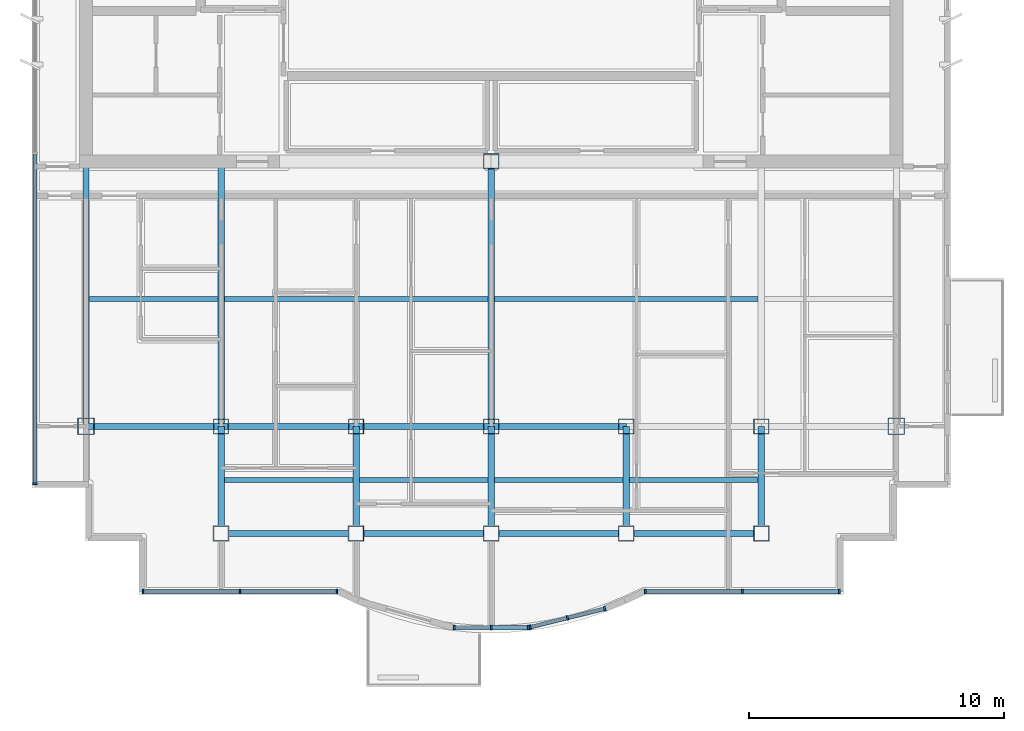
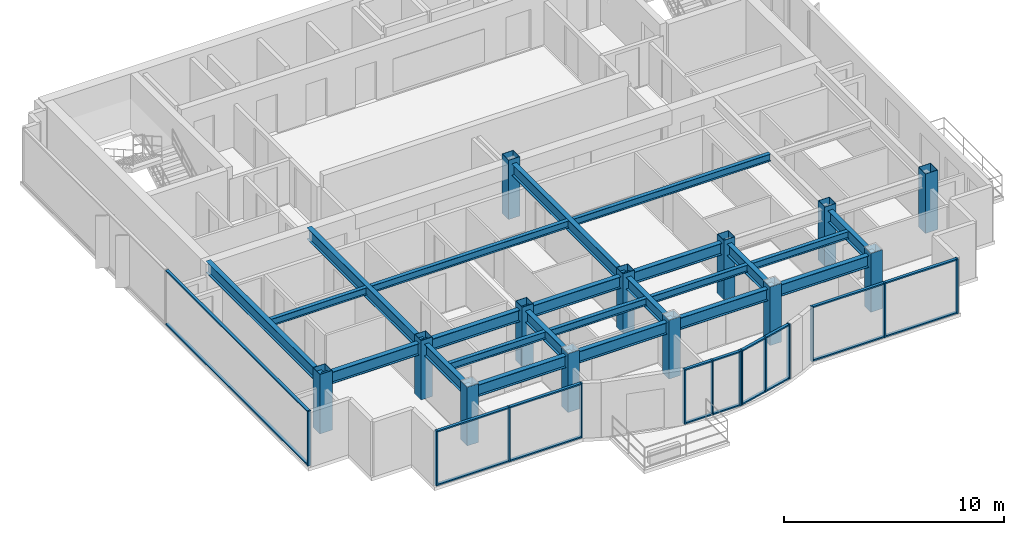
# One storey, part 1 of 11: 31 members, 23 beams, 13 columns, 5 elements without a shape of their own.
"""IFC4 building model written with IfcOpenShell, lengths in metres."""

import ifcopenshell
import ifcopenshell.guid

model = None  # the IFC model being written
_history = None  # IfcOwnerHistory: only IFC2X3 demands one
_inside = {}  # id of a spatial element -> (the spatial element, [elements in it])
_under = {}  # id of a project, library or spatial element -> (it, [spatial elements below it])
_declared = {}  # id of a project -> (the project, [libraries it declares])
_typed = {}  # id of a type object -> (the type object, [elements of that type])
_made_of = {}  # id of a material, layer set ... -> (it, [elements and type objects made of it])


def new_model(schema):
    """Start an empty IFC model of exactly this schema.

    Asked for "IFC4X3", IfcOpenShell would pick the latest addendum, in which some entities
    have other attributes; the version numbers below select the first issue.
    IFC2X3 requires an IfcOwnerHistory on every rooted entity: one is made here for all.
    """
    global model, _history
    if schema == "IFC4X3":
        model = ifcopenshell.file(schema_version=(4, 3, 0, 0))
    else:
        model = ifcopenshell.file(schema=schema)
    _inside.clear()
    _under.clear()
    _declared.clear()
    _typed.clear()
    _made_of.clear()
    _history = None
    if model.schema == "IFC2X3":
        org = make("IfcOrganization", Name="unknown")
        user = make(
            "IfcPersonAndOrganization",
            ThePerson=make("IfcPerson", FamilyName="unknown"),
            TheOrganization=org,
        )
        app = make(
            "IfcApplication",
            ApplicationDeveloper=org,
            Version="unknown",
            ApplicationFullName="unknown",
            ApplicationIdentifier="unknown",
        )
        _history = make(
            "IfcOwnerHistory",
            OwningUser=user,
            OwningApplication=app,
            ChangeAction="ADDED",
            CreationDate=0,
        )
    return model


def make(cls, **values):
    """One entity of the class cls with the attributes given. An attribute that is None is left unset."""
    return model.create_entity(
        cls, **{name: value for name, value in values.items() if value is not None}
    )


def rooted(cls, **values):
    """An entity with a GlobalId (a new one), such as an element, a storey or a relation."""
    return make(cls, GlobalId=ifcopenshell.guid.new(), OwnerHistory=_history, **values)


def si_unit(unit_type, name, prefix=None):
    """IfcSIUnit, for example si_unit("LENGTHUNIT", "METRE", prefix="MILLI")."""
    return make("IfcSIUnit", UnitType=unit_type, Prefix=prefix, Name=name)


def assignment(units):
    """IfcUnitAssignment: the units of a project."""
    return None if units is None else make("IfcUnitAssignment", Units=units)


def point(xyz):
    """IfcCartesianPoint."""
    return None if xyz is None else make("IfcCartesianPoint", Coordinates=xyz)


def direction(xyz):
    """IfcDirection."""
    return None if xyz is None else make("IfcDirection", DirectionRatios=xyz)


def frame(location, z_axis=None, x_axis=None):
    """IfcAxis2Placement3D, a coordinate frame: its origin and axes. An axis left out is left unset."""
    return make(
        "IfcAxis2Placement3D",
        Location=point(location),
        Axis=direction(z_axis),
        RefDirection=direction(x_axis),
    )


def frame_2d(location, x_axis=None):
    """IfcAxis2Placement2D, a coordinate frame in the plane: its origin and x axis."""
    return make(
        "IfcAxis2Placement2D", Location=point(location), RefDirection=direction(x_axis)
    )


def origin():
    """The frame at (0, 0, 0) with its axes left unset."""
    return frame((0.0, 0.0, 0.0))


def origin_2d():
    """The frame at (0, 0) in the plane with its x axis left unset."""
    return frame_2d((0.0, 0.0))


def place(relative_to, where):
    """IfcLocalPlacement: puts the frame where relative to a parent placement (None: the world)."""
    return make(
        "IfcLocalPlacement", PlacementRelTo=relative_to, RelativePlacement=where
    )


def context(
    kind, dimensions, precision=None, world=None, true_north=None, identifier=None
):
    """IfcGeometricRepresentationContext, for example the 3D "Model" context."""
    return make(
        "IfcGeometricRepresentationContext",
        ContextIdentifier=identifier,
        ContextType=kind,
        CoordinateSpaceDimension=dimensions,
        Precision=precision,
        WorldCoordinateSystem=world,
        TrueNorth=true_north,
    )


def subcontext(parent, identifier, kind, view, scale=None):
    """IfcGeometricRepresentationSubContext, for example "Body" below "Model"."""
    return make(
        "IfcGeometricRepresentationSubContext",
        ContextIdentifier=identifier,
        ContextType=kind,
        ParentContext=parent,
        TargetScale=scale,
        TargetView=view,
    )


def project(units=None, contexts=None):
    """IfcProject with its units and contexts."""
    return rooted(
        "IfcProject",
        Name="project",
        RepresentationContexts=contexts,
        UnitsInContext=assignment(units),
    )


def spatial(cls, under=None, at=None, **own):
    """A site, building, storey or space (cls), placed at a placement, below another one or the project."""
    s = rooted(cls, ObjectPlacement=at, **own)
    if under is not None:
        _under.setdefault(under.id(), (under, []))[1].append(s)
    return s


def profile(cls, at=None, kind="AREA", **sizes):
    """A parametric profile (cls). Its sizes go by their IFC names, for example OverallWidth=200.0."""
    return make(cls, ProfileType=kind, Position=at, **sizes)


def rectangle(**sizes):
    """IfcRectangleProfileDef."""
    return profile("IfcRectangleProfileDef", **sizes)


def hollow_rectangle(**sizes):
    """IfcRectangleHollowProfileDef."""
    return profile("IfcRectangleHollowProfileDef", **sizes)


def i_section(**sizes):
    """IfcIShapeProfileDef."""
    return profile("IfcIShapeProfileDef", **sizes)


def extrude(swept, where, along, depth):
    """IfcExtrudedAreaSolid: the profile swept, set in the frame where, extruded along a direction by depth."""
    return make(
        "IfcExtrudedAreaSolid",
        SweptArea=swept,
        Position=where,
        ExtrudedDirection=direction(along),
        Depth=depth,
    )


def shape(context_of_items, identifier, shape_type, items):
    """IfcShapeRepresentation: the items that make up one representation, for example the "Body"."""
    return make(
        "IfcShapeRepresentation",
        ContextOfItems=context_of_items,
        RepresentationIdentifier=identifier,
        RepresentationType=shape_type,
        Items=items,
    )


def source(mapping_origin, context_of_items, identifier, shape_type, items):
    """IfcRepresentationMap: a shape defined once, which mapped items show again and again."""
    return make(
        "IfcRepresentationMap",
        MappingOrigin=mapping_origin,
        MappedRepresentation=shape(context_of_items, identifier, shape_type, items),
    )


def transform(
    local_origin,
    x_axis=None,
    y_axis=None,
    z_axis=None,
    scale=None,
    scale2=None,
    scale3=None,
    uniform=True,
):
    """IfcCartesianTransformationOperator3D, or its non-uniform kind. x_axis, y_axis, z_axis: its Axis1, 2, 3."""
    if uniform:
        return make(
            "IfcCartesianTransformationOperator3D",
            Axis1=direction(x_axis),
            Axis2=direction(y_axis),
            LocalOrigin=point(local_origin),
            Scale=scale,
            Axis3=direction(z_axis),
        )
    return make(
        "IfcCartesianTransformationOperator3DnonUniform",
        Axis1=direction(x_axis),
        Axis2=direction(y_axis),
        LocalOrigin=point(local_origin),
        Scale=scale,
        Axis3=direction(z_axis),
        Scale2=scale2,
        Scale3=scale3,
    )


def mapped(mapping_source, mapping_target):
    """IfcMappedItem: shows the shape of a source again, moved by a transform."""
    return make(
        "IfcMappedItem", MappingSource=mapping_source, MappingTarget=mapping_target
    )


def material(Name=None, Category=None):
    """IfcMaterial."""
    return make("IfcMaterial", Name=Name, Category=Category)


def layer(
    of_material, thickness, ventilated=None, Name=None, Category=None, Priority=None
):
    """IfcMaterialLayer: one layer of a wall or slab, of a material (None: an air gap)."""
    return make(
        "IfcMaterialLayer",
        Material=of_material,
        LayerThickness=thickness,
        IsVentilated=ventilated,
        Name=Name,
        Category=Category,
        Priority=Priority,
    )


def layer_set(layers, Name=None):
    """IfcMaterialLayerSet."""
    return make("IfcMaterialLayerSet", MaterialLayers=layers, LayerSetName=Name)


def material_profile(
    of_material, cross_section, Name=None, Category=None, Priority=None
):
    """IfcMaterialProfile: a cross section and its material."""
    return make(
        "IfcMaterialProfile",
        Name=Name,
        Material=of_material,
        Profile=cross_section,
        Priority=Priority,
        Category=Category,
    )


def profile_set(profiles, Name=None, composite=None):
    """IfcMaterialProfileSet."""
    return make(
        "IfcMaterialProfileSet",
        Name=Name,
        MaterialProfiles=profiles,
        CompositeProfile=composite,
    )


def made_of(thing, what):
    """Note that an element or type object is made of a material, layer set ...; save() writes the relation."""
    if what is not None:
        _made_of.setdefault(what.id(), (what, []))[1].append(thing)
    return thing


def type_object(cls, material=None, **own):
    """A type object (cls), such as IfcWallType, which elements share."""
    return made_of(rooted(cls, **own), material)


def element(
    cls,
    number,
    at=None,
    inside=None,
    cuts=None,
    type_object=None,
    material=None,
    context=None,
    identifier="Body",
    shape_type=None,
    held_by="IfcProductDefinitionShape",
    body=None,
    shapes=None,
    **own,
):
    """One element of the class cls, such as IfcWall. Its Tag is "e" and its number.

    at: its placement. inside: the storey or other place that contains it. cuts: it is an
    opening in that element (IfcRelVoidsElement). A single representation is given by context,
    identifier, shape_type and body (its items); several are given by shapes. held_by: the class
    of the entity that holds the representations. save() writes the other relations.
    """
    e = rooted(cls, Tag="e%d" % number, ObjectPlacement=at, **own)
    if body is not None:
        shapes = [shape(context, identifier, shape_type, body)]
    if shapes is not None:
        e.Representation = make(held_by, Representations=shapes)
    if inside is not None:
        _inside.setdefault(inside.id(), (inside, []))[1].append(e)
    if cuts is not None:
        rooted(
            "IfcRelVoidsElement", RelatingBuildingElement=cuts, RelatedOpeningElement=e
        )
    if type_object is not None:
        _typed.setdefault(type_object.id(), (type_object, []))[1].append(e)
    return made_of(e, material)


def aggregate(whole, parts):
    """IfcRelAggregates: a whole, such as a stair, and the parts it consists of."""
    return rooted("IfcRelAggregates", RelatingObject=whole, RelatedObjects=parts)


def save(model, path):
    """Write the relations noted so far, then the file.

    IfcRelAggregates (storeys below a building ...), IfcRelContainedInSpatialStructure (elements
    in a storey), IfcRelDefinesByType, IfcRelAssociatesMaterial and IfcRelDeclares: one each for
    every whole, place, type object, material and project.
    """
    for whole, parts in _under.values():
        aggregate(whole, parts)
    for where, things in _inside.values():
        rooted(
            "IfcRelContainedInSpatialStructure",
            RelatedElements=things,
            RelatingStructure=where,
        )
    for kind, things in _typed.values():
        rooted("IfcRelDefinesByType", RelatedObjects=things, RelatingType=kind)
    for what, things in _made_of.values():
        rooted("IfcRelAssociatesMaterial", RelatedObjects=things, RelatingMaterial=what)
    for by, libraries in _declared.values():
        rooted("IfcRelDeclares", RelatingContext=by, RelatedDefinitions=libraries)
    model.write(path)


model = new_model("IFC4")

# Units and contexts
model_context = context("Model", 3, precision=1e-05, world=origin(), true_north=direction((0.0, 1.0)))
body_context = subcontext(model_context, "Body", "Model", "MODEL_VIEW")
ifc_project = project(units=[si_unit("LENGTHUNIT", "METRE"), si_unit("AREAUNIT", "SQUARE_METRE"), si_unit("VOLUMEUNIT", "CUBIC_METRE"), si_unit("PLANEANGLEUNIT", "RADIAN"), si_unit("MASSUNIT", "GRAM", prefix="KILO")], contexts=[model_context])

# Site, building, storey
site_placement = place(None, origin())
site = spatial("IfcSite", under=ifc_project, at=site_placement, CompositionType="ELEMENT")
building_placement = place(site_placement, origin())
building = spatial("IfcBuilding", under=site, at=building_placement, Name="Qianlan Lanfeng Residences", CompositionType="ELEMENT")
storey_placement = place(building_placement, frame((0.0, 0.0, 262.699951171875)))
storey = spatial("IfcBuildingStorey", under=building, at=storey_placement, Name="L73", CompositionType="ELEMENT", Elevation=262.699951171875)

# Columns
ifc_material_1 = material(Name="Steel SN490B", Category="steel")
ifc_material_profile_1 = material_profile(ifc_material_1, hollow_rectangle(XDim=0.60009765625, YDim=0.60009765625, WallThickness=0.02197265625, at=origin_2d()), Name="BOX 600x600x22")
ifc_profile_set_1 = profile_set([ifc_material_profile_1], Name="Steel SN490B")
column_type_1 = type_object("IfcColumnType", Name="C-B650", PredefinedType="COLUMN", material=ifc_profile_set_1)
for number, where, z_axis, x_axis, name in (
    (1, (26.5, 25.199951171875, 0.0), (0.0, 0.0, 1.0), (1.0, 0.0, 0.0), "L73 Structural Column CP_26.5_25.2"),
    (2, (15.89990234375, 14.800048828125, 0.0), (0.0, 0.0, 1.0), (1.0, 0.0, 0.0), "L73 Structural Column M_15.90_14.80"),
):
    element("IfcColumn", number, at=place(storey_placement, frame(where, z_axis=z_axis, x_axis=x_axis)), inside=storey, type_object=column_type_1, Name=name, PredefinedType="COLUMN", context=body_context, shape_type="SweptSolid", body=[
        extrude(hollow_rectangle(XDim=0.60009765625, YDim=0.60009765625, WallThickness=0.02197265625, at=origin_2d()), origin(), (0.0, 0.0, 1.0), 3.300048828125),
    ])
column_1_placement = place(storey_placement, frame((15.89990234375, 10.60009765625, 0.0), z_axis=(0.0, 0.0, 1.0), x_axis=(1.0, 0.0, 0.0)))
element("IfcColumn", 3, at=column_1_placement, inside=storey, type_object=column_type_1, Name="L73 Structural Column G_15.90_10.60", PredefinedType="COLUMN", context=body_context, shape_type="SweptSolid", body=[
    extrude(hollow_rectangle(XDim=0.60009765625, YDim=0.60009765625, WallThickness=0.02197265625, at=origin_2d()), origin(), (0.0, 0.0, 1.0), 3.26416015625),
])
column_2_placement = place(storey_placement, frame((21.199951171875, 14.800048828125, 0.0), z_axis=(0.0, 0.0, 1.0), x_axis=(1.0, 0.0, 0.0)))
element("IfcColumn", 4, at=column_2_placement, inside=storey, type_object=column_type_1, Name="L73 Structural Column M_21.20_14.80", PredefinedType="COLUMN", context=body_context, shape_type="SweptSolid", body=[
    extrude(hollow_rectangle(XDim=0.60009765625, YDim=0.60009765625, WallThickness=0.02197265625, at=origin_2d()), origin(), (0.0, 0.0, 1.0), 3.300048828125),
])
column_3_placement = place(storey_placement, frame((21.199951171875, 10.60009765625, 0.0), z_axis=(0.0, 0.0, 1.0), x_axis=(1.0, 0.0, 0.0)))
element("IfcColumn", 5, at=column_3_placement, inside=storey, type_object=column_type_1, Name="L73 Structural Column G_21.20_10.60", PredefinedType="COLUMN", context=body_context, shape_type="SweptSolid", body=[
    extrude(hollow_rectangle(XDim=0.60009765625, YDim=0.60009765625, WallThickness=0.02197265625, at=origin_2d()), origin(), (0.0, 0.0, 1.0), 3.26416015625),
])
column_4_placement = place(storey_placement, frame((26.5, 14.800048828125, 0.0), z_axis=(0.0, 0.0, 1.0), x_axis=(1.0, 0.0, 0.0)))
element("IfcColumn", 6, at=column_4_placement, inside=storey, type_object=column_type_1, Name="L73 Structural Column M_26.50_14.80", PredefinedType="COLUMN", context=body_context, shape_type="SweptSolid", body=[
    extrude(hollow_rectangle(XDim=0.60009765625, YDim=0.60009765625, WallThickness=0.02197265625, at=origin_2d()), origin(), (0.0, 0.0, 1.0), 3.300048828125),
])
column_5_placement = place(storey_placement, frame((26.5, 10.60009765625, 0.0), z_axis=(0.0, 0.0, 1.0), x_axis=(1.0, 0.0, 0.0)))
element("IfcColumn", 7, at=column_5_placement, inside=storey, type_object=column_type_1, Name="L73 Structural Column G_26.50_10.60", PredefinedType="COLUMN", context=body_context, shape_type="SweptSolid", body=[
    extrude(hollow_rectangle(XDim=0.60009765625, YDim=0.60009765625, WallThickness=0.02197265625, at=origin_2d()), origin(), (0.0, 0.0, 1.0), 3.26416015625),
])
column_6_placement = place(storey_placement, frame((31.800048828125, 14.800048828125, 0.0), z_axis=(0.0, 0.0, 1.0), x_axis=(1.0, 0.0, 0.0)))
element("IfcColumn", 8, at=column_6_placement, inside=storey, type_object=column_type_1, Name="L73 Structural Column M_31.80_14.80", PredefinedType="COLUMN", context=body_context, shape_type="SweptSolid", body=[
    extrude(hollow_rectangle(XDim=0.60009765625, YDim=0.60009765625, WallThickness=0.02197265625, at=origin_2d()), origin(), (0.0, 0.0, 1.0), 3.300048828125),
])
column_7_placement = place(storey_placement, frame((31.800048828125, 10.60009765625, 0.0), z_axis=(0.0, 0.0, 1.0), x_axis=(1.0, 0.0, 0.0)))
element("IfcColumn", 9, at=column_7_placement, inside=storey, type_object=column_type_1, Name="L73 Structural Column G_31.80_10.60", PredefinedType="COLUMN", context=body_context, shape_type="SweptSolid", body=[
    extrude(hollow_rectangle(XDim=0.60009765625, YDim=0.60009765625, WallThickness=0.02197265625, at=origin_2d()), origin(), (0.0, 0.0, 1.0), 3.26416015625),
])
column_8_placement = place(storey_placement, frame((37.10009765625, 14.800048828125, 0.0), z_axis=(0.0, 0.0, 1.0), x_axis=(1.0, 0.0, 0.0)))
element("IfcColumn", 10, at=column_8_placement, inside=storey, type_object=column_type_1, Name="L73 Structural Column M_37.10_14.80", PredefinedType="COLUMN", context=body_context, shape_type="SweptSolid", body=[
    extrude(hollow_rectangle(XDim=0.60009765625, YDim=0.60009765625, WallThickness=0.02197265625, at=origin_2d()), origin(), (0.0, 0.0, 1.0), 3.300048828125),
])
column_9_placement = place(storey_placement, frame((37.10009765625, 10.60009765625, 0.0), z_axis=(0.0, 0.0, 1.0), x_axis=(1.0, 0.0, 0.0)))
element("IfcColumn", 11, at=column_9_placement, inside=storey, type_object=column_type_1, Name="L73 Structural Column G_37.10_10.60", PredefinedType="COLUMN", context=body_context, shape_type="SweptSolid", body=[
    extrude(hollow_rectangle(XDim=0.60009765625, YDim=0.60009765625, WallThickness=0.02197265625, at=origin_2d()), origin(), (0.0, 0.0, 1.0), 3.26416015625),
])
ifc_material_profile_2 = material_profile(ifc_material_1, hollow_rectangle(XDim=0.64990234375, YDim=0.64990234375, WallThickness=0.02197265625, at=origin_2d()), Name="BOX 650x650x22")
ifc_profile_set_2 = profile_set([ifc_material_profile_2], Name="Steel SN490B")
column_type_2 = type_object("IfcColumnType", Name="CE-B700", PredefinedType="COLUMN", material=ifc_profile_set_2)
for number, where, z_axis, x_axis, name in (
    (12, (10.60009765625, 14.800048828125, 0.0), (0.0, 0.0, 1.0), (1.0, 0.0, 0.0), "L73 Structural Column M_10.60_14.80"),
    (13, (42.39990234375, 14.800048828125, 0.0), (0.0, 0.0, 1.0), (1.0, 0.0, 0.0), "L73 Structural Column M_42.40_14.80"),
):
    element("IfcColumn", number, at=place(storey_placement, frame(where, z_axis=z_axis, x_axis=x_axis)), inside=storey, type_object=column_type_2, Name=name, PredefinedType="COLUMN", context=body_context, shape_type="SweptSolid", body=[
        extrude(hollow_rectangle(XDim=0.64990234375, YDim=0.64990234375, WallThickness=0.02197265625, at=origin_2d()), origin(), (0.0, 0.0, 1.0), 3.300048828125),
    ])

# Beams
ifc_material_profile_3 = material_profile(ifc_material_1, i_section(OverallWidth=0.25, OverallDepth=0.64990234375, WebThickness=0.012939453125, FlangeThickness=0.02197265625, at=origin_2d()), Name="H 650x250x13x22")
ifc_profile_set_3 = profile_set([ifc_material_profile_3], Name="Steel SN490B")
beam_type_1 = type_object("IfcBeamType", Name="G-650", PredefinedType="BEAM", material=ifc_profile_set_3)
for number, where, z_axis, x_axis, name in (
    (14, (15.89990234375, 10.60009765625, 2.715087890625), (1.0, 0.0, 0.0), (0.0, 1.0, 0.0), "Structural beam G-650"),
    (15, (21.199951171875, 10.60009765625, 2.715087890625), (1.0, 0.0, 0.0), (0.0, 1.0, 0.0), "Structural beam G-650"),
    (16, (26.5, 10.60009765625, 2.715087890625), (1.0, 0.0, 0.0), (0.0, 1.0, 0.0), "Structural beam G-650"),
    (17, (31.800048828125, 10.60009765625, 2.715087890625), (1.0, 0.0, 0.0), (0.0, 1.0, 0.0), "Structural beam G-650"),
):
    element("IfcBeam", number, at=place(storey_placement, frame(where, z_axis=z_axis, x_axis=x_axis)), inside=storey, type_object=beam_type_1, Name=name, PredefinedType="BEAM", context=body_context, shape_type="SweptSolid", body=[
        extrude(i_section(OverallWidth=0.25, OverallDepth=0.64990234375, WebThickness=0.012939453125, FlangeThickness=0.02197265625, at=origin_2d()), origin(), (0.0, 0.0, 1.0), 5.300048828125),
    ])
beam_1_placement = place(storey_placement, frame((10.60009765625, 14.800048828125, 2.715087890625), z_axis=(1.0, 0.0, 0.0), x_axis=(0.0, 1.0, 0.0)))
element("IfcBeam", 18, at=beam_1_placement, inside=storey, type_object=beam_type_1, Name="Structural beam G-650", PredefinedType="BEAM", context=body_context, shape_type="SweptSolid", body=[
    extrude(i_section(OverallWidth=0.25, OverallDepth=0.64990234375, WebThickness=0.012939453125, FlangeThickness=0.02197265625, at=origin_2d()), origin(), (0.0, 0.0, 1.0), 5.2998046875),
])
for number, where, z_axis, x_axis, name in (
    (19, (15.89990234375, 14.800048828125, 2.715087890625), (1.0, 0.0, 0.0), (0.0, 1.0, 0.0), "Structural beam G-650"),
    (20, (21.199951171875, 14.800048828125, 2.715087890625), (1.0, 0.0, 0.0), (0.0, 1.0, 0.0), "Structural beam G-650"),
    (21, (26.5, 14.800048828125, 2.715087890625), (1.0, 0.0, 0.0), (0.0, 1.0, 0.0), "Structural beam G-650"),
):
    element("IfcBeam", number, at=place(storey_placement, frame(where, z_axis=z_axis, x_axis=x_axis)), inside=storey, type_object=beam_type_1, Name=name, PredefinedType="BEAM", context=body_context, shape_type="SweptSolid", body=[
        extrude(i_section(OverallWidth=0.25, OverallDepth=0.64990234375, WebThickness=0.012939453125, FlangeThickness=0.02197265625, at=origin_2d()), origin(), (0.0, 0.0, 1.0), 5.300048828125),
    ])
beam_2_placement = place(storey_placement, frame((10.60009765625, 14.800048828125, 2.715087890625), z_axis=(0.0, 1.0, 0.0), x_axis=(-1.0, 0.0, 0.0)))
element("IfcBeam", 22, at=beam_2_placement, inside=storey, type_object=beam_type_1, Name="Structural beam G-650", PredefinedType="BEAM", context=body_context, shape_type="SweptSolid", body=[
    extrude(i_section(OverallWidth=0.25, OverallDepth=0.64990234375, WebThickness=0.012939453125, FlangeThickness=0.02197265625, at=origin_2d()), origin(), (0.0, 0.0, 1.0), 10.39990234375),
])
beam_3_placement = place(storey_placement, frame((15.89990234375, 10.60009765625, 2.715087890625), z_axis=(0.0, 1.0, 0.0), x_axis=(-1.0, 0.0, 0.0)))
element("IfcBeam", 23, at=beam_3_placement, inside=storey, type_object=beam_type_1, Name="Structural beam G-650", PredefinedType="BEAM", context=body_context, shape_type="SweptSolid", body=[
    extrude(i_section(OverallWidth=0.25, OverallDepth=0.64990234375, WebThickness=0.012939453125, FlangeThickness=0.02197265625, at=origin_2d()), origin(), (0.0, 0.0, 1.0), 4.199951171875),
])
beam_4_placement = place(storey_placement, frame((15.89990234375, 14.800048828125, 2.715087890625), z_axis=(0.0, 1.0, 0.0), x_axis=(-1.0, 0.0, 0.0)))
element("IfcBeam", 24, at=beam_4_placement, inside=storey, type_object=beam_type_1, Name="Structural beam G-650", PredefinedType="BEAM", context=body_context, shape_type="SweptSolid", body=[
    extrude(i_section(OverallWidth=0.25, OverallDepth=0.64990234375, WebThickness=0.012939453125, FlangeThickness=0.02197265625, at=origin_2d()), origin(), (0.0, 0.0, 1.0), 10.39990234375),
])
for number, where, z_axis, x_axis, name in (
    (25, (21.199951171875, 10.60009765625, 2.715087890625), (0.0, 1.0, 0.0), (-1.0, 0.0, 0.0), "Structural beam G-650"),
    (26, (26.5, 10.60009765625, 2.715087890625), (0.0, 1.0, 0.0), (-1.0, 0.0, 0.0), "Structural beam G-650"),
):
    element("IfcBeam", number, at=place(storey_placement, frame(where, z_axis=z_axis, x_axis=x_axis)), inside=storey, type_object=beam_type_1, Name=name, PredefinedType="BEAM", context=body_context, shape_type="SweptSolid", body=[
        extrude(i_section(OverallWidth=0.25, OverallDepth=0.64990234375, WebThickness=0.012939453125, FlangeThickness=0.02197265625, at=origin_2d()), origin(), (0.0, 0.0, 1.0), 4.199951171875),
    ])
beam_5_placement = place(storey_placement, frame((26.5, 14.800048828125, 2.715087890625), z_axis=(0.0, 1.0, 0.0), x_axis=(-1.0, 0.0, 0.0)))
element("IfcBeam", 27, at=beam_5_placement, inside=storey, type_object=beam_type_1, Name="Structural beam G-650", PredefinedType="BEAM", context=body_context, shape_type="SweptSolid", body=[
    extrude(i_section(OverallWidth=0.25, OverallDepth=0.64990234375, WebThickness=0.012939453125, FlangeThickness=0.02197265625, at=origin_2d()), origin(), (0.0, 0.0, 1.0), 10.39990234375),
])
for number, where, z_axis, x_axis, name in (
    (28, (31.800048828125, 10.60009765625, 2.715087890625), (0.0, 1.0, 0.0), (-1.0, 0.0, 0.0), "Structural beam G-650"),
    (29, (37.10009765625, 10.60009765625, 2.715087890625), (0.0, 1.0, 0.0), (-1.0, 0.0, 0.0), "Structural beam G-650"),
):
    element("IfcBeam", number, at=place(storey_placement, frame(where, z_axis=z_axis, x_axis=x_axis)), inside=storey, type_object=beam_type_1, Name=name, PredefinedType="BEAM", context=body_context, shape_type="SweptSolid", body=[
        extrude(i_section(OverallWidth=0.25, OverallDepth=0.64990234375, WebThickness=0.012939453125, FlangeThickness=0.02197265625, at=origin_2d()), origin(), (0.0, 0.0, 1.0), 4.199951171875),
    ])
ifc_material_profile_4 = material_profile(ifc_material_1, i_section(OverallWidth=0.199951171875, OverallDepth=0.39990234375, WebThickness=0.008056640625, FlangeThickness=0.012939453125, at=origin_2d()), Name="H 400x200x8x13")
ifc_profile_set_4 = profile_set([ifc_material_profile_4], Name="Steel SN490B")
beam_type_2 = type_object("IfcBeamType", Name="J-400", PredefinedType="JOIST", material=ifc_profile_set_4)
for number, where, z_axis, x_axis, name in (
    (30, (16.02490234375, 12.699951171875, 2.840087890625), (1.0, 0.0, 0.0), (0.0, 1.0, 0.0), "Structural beam J-400"),
    (31, (21.324951171875, 12.699951171875, 2.840087890625), (1.0, 0.0, 0.0), (0.0, 1.0, 0.0), "Structural beam J-400"),
    (32, (26.625, 12.699951171875, 2.840087890625), (1.0, 0.0, 0.0), (0.0, 1.0, 0.0), "Structural beam J-400"),
    (33, (31.925048828125, 12.699951171875, 2.840087890625), (1.0, 0.0, 0.0), (0.0, 1.0, 0.0), "Structural beam J-400"),
):
    element("IfcBeam", number, at=place(storey_placement, frame(where, z_axis=z_axis, x_axis=x_axis)), inside=storey, type_object=beam_type_2, Name=name, PredefinedType="JOIST", context=body_context, shape_type="SweptSolid", body=[
        extrude(i_section(OverallWidth=0.199951171875, OverallDepth=0.39990234375, WebThickness=0.008056640625, FlangeThickness=0.012939453125, at=origin_2d()), origin(), (0.0, 0.0, 1.0), 5.050048828125),
    ])
beam_6_placement = place(storey_placement, frame((10.72509765625, 19.800048828125, 2.840087890625), z_axis=(1.0, 0.0, 0.0), x_axis=(0.0, 1.0, 0.0)))
element("IfcBeam", 34, at=beam_6_placement, inside=storey, type_object=beam_type_2, Name="Structural beam J-400", PredefinedType="JOIST", context=body_context, shape_type="SweptSolid", body=[
    extrude(i_section(OverallWidth=0.199951171875, OverallDepth=0.39990234375, WebThickness=0.008056640625, FlangeThickness=0.012939453125, at=origin_2d()), origin(), (0.0, 0.0, 1.0), 5.0498046875),
])
for number, where, z_axis, x_axis, name in (
    (35, (16.02490234375, 19.800048828125, 2.840087890625), (1.0, 0.0, 0.0), (0.0, 1.0, 0.0), "Structural beam J-400"),
    (36, (26.625, 19.800048828125, 2.840087890625), (1.0, 0.0, 0.0), (0.0, 1.0, 0.0), "Structural beam J-400"),
):
    element("IfcBeam", number, at=place(storey_placement, frame(where, z_axis=z_axis, x_axis=x_axis)), inside=storey, type_object=beam_type_2, Name=name, PredefinedType="JOIST", context=body_context, shape_type="SweptSolid", body=[
        extrude(i_section(OverallWidth=0.199951171875, OverallDepth=0.39990234375, WebThickness=0.008056640625, FlangeThickness=0.012939453125, at=origin_2d()), origin(), (0.0, 0.0, 1.0), 10.35009765625),
    ])

# Curtain wall, members
ifc_material_2 = material(Name="Anodised Bronze Aluminium 6063-T6", Category="aluminium")
ifc_layer = layer(ifc_material_2, 0.219970703125)
ifc_layer_set = layer_set([ifc_layer], Name="Anodised Bronze Aluminium 6063-T6")
curtain_wall_type = type_object("IfcCurtainWallType", Name="CW-06", PredefinedType="NOTDEFINED", material=ifc_layer_set)
curtain_wall_1_placement = place(storey_placement, origin())
curtain_wall_1 = element("IfcCurtainWall", 37, at=curtain_wall_1_placement, inside=storey, type_object=curtain_wall_type, Name="L73 Unitised Curtain Wall CWR-L73-01 (CW-06)", PredefinedType="NOTDEFINED")
ifc_material_profile_5 = material_profile(ifc_material_2, rectangle(XDim=0.074951171875, YDim=0.14990234375, at=origin_2d()), Name="ALU TRANSOM 75x150")
ifc_profile_set_5 = profile_set([ifc_material_profile_5], Name="Anodised Bronze Aluminium 6063-T6")
member_type_1 = type_object("IfcMemberType", Name="CWT-150", PredefinedType="USERDEFINED", material=ifc_profile_set_5)
shared_shape_1 = source(origin(), body_context, "Body", "SweptSolid", [
    extrude(rectangle(XDim=0.074951171875, YDim=0.14990234375, at=origin_2d()), origin(), (0.0, 0.0, 1.0), 3.73095703125),
])
member_1_placement = place(storey_placement, frame((12.875, 8.320068359375, 0.03759765625), z_axis=(1.0, 0.0, 0.0), x_axis=(0.0, 0.0, 1.0)))
member_1 = element("IfcMember", 38, at=member_1_placement, type_object=member_type_1, Name="CWR-L73-01 Transom 1-BOT", ObjectType="TRANSOM", PredefinedType="USERDEFINED", context=body_context, shape_type="MappedRepresentation", body=[
    mapped(shared_shape_1, transform((0.0, 0.0, 0.0), scale=1.0)),
])
member_2_placement = place(storey_placement, frame((12.875, 8.320068359375, 3.00244140625), z_axis=(1.0, 0.0, 0.0), x_axis=(0.0, 0.0, 1.0)))
member_2 = element("IfcMember", 39, at=member_2_placement, type_object=member_type_1, Name="CWR-L73-01 Transom 1-TOP", ObjectType="TRANSOM", PredefinedType="USERDEFINED", context=body_context, shape_type="MappedRepresentation", body=[
    mapped(shared_shape_1, transform((0.0, 0.0, 0.0), scale=1.0)),
])

curtain_wall_2_placement = place(storey_placement, origin())
curtain_wall_2 = element("IfcCurtainWall", 40, at=curtain_wall_2_placement, inside=storey, type_object=curtain_wall_type, Name="L73 Unitised Curtain Wall CWR-L73-04 (CW-06)", PredefinedType="NOTDEFINED")
member_3_placement = place(storey_placement, frame((36.39404296875, 8.320068359375, 0.03759765625), z_axis=(1.0, 0.0, 0.0), x_axis=(0.0, 0.0, 1.0)))
member_3 = element("IfcMember", 41, at=member_3_placement, type_object=member_type_1, Name="CWR-L73-04 Transom 2-BOT", ObjectType="TRANSOM", PredefinedType="USERDEFINED", context=body_context, shape_type="MappedRepresentation", body=[
    mapped(shared_shape_1, transform((0.0, 0.0, 0.0), scale=1.0)),
])
member_4_placement = place(storey_placement, frame((36.39404296875, 8.320068359375, 3.00244140625), z_axis=(1.0, 0.0, 0.0), x_axis=(0.0, 0.0, 1.0)))
member_4 = element("IfcMember", 42, at=member_4_placement, type_object=member_type_1, Name="CWR-L73-04 Transom 2-TOP", ObjectType="TRANSOM", PredefinedType="USERDEFINED", context=body_context, shape_type="MappedRepresentation", body=[
    mapped(shared_shape_1, transform((0.0, 0.0, 0.0), scale=1.0)),
])

# Member
shared_shape_2 = source(origin(), body_context, "Body", "SweptSolid", [
    extrude(rectangle(XDim=0.074951171875, YDim=0.14990234375, at=origin_2d()), origin(), (0.0, 0.0, 1.0), 3.731201171875),
])
member_5_placement = place(storey_placement, frame((16.680908203125, 8.320068359375, 0.03759765625), z_axis=(1.0, 0.0, 0.0), x_axis=(0.0, 0.0, 1.0)))
member_5 = element("IfcMember", 43, at=member_5_placement, type_object=member_type_1, Name="CWR-L73-01 Transom 2-BOT", ObjectType="TRANSOM", PredefinedType="USERDEFINED", context=body_context, shape_type="MappedRepresentation", body=[
    mapped(shared_shape_2, transform((0.0, 0.0, 0.0), scale=1.0)),
])

member_6_placement = place(storey_placement, frame((16.680908203125, 8.320068359375, 3.00244140625), z_axis=(1.0, 0.0, 0.0), x_axis=(0.0, 0.0, 1.0)))
member_6 = element("IfcMember", 44, at=member_6_placement, type_object=member_type_1, Name="CWR-L73-01 Transom 2-TOP", ObjectType="TRANSOM", PredefinedType="USERDEFINED", context=body_context, shape_type="MappedRepresentation", body=[
    mapped(shared_shape_2, transform((0.0, 0.0, 0.0), scale=1.0)),
])

member_7_placement = place(storey_placement, frame((32.587890625, 8.320068359375, 0.03759765625), z_axis=(1.0, 0.0, 0.0), x_axis=(0.0, 0.0, 1.0)))
member_7 = element("IfcMember", 45, at=member_7_placement, type_object=member_type_1, Name="CWR-L73-04 Transom 1-BOT", ObjectType="TRANSOM", PredefinedType="USERDEFINED", context=body_context, shape_type="MappedRepresentation", body=[
    mapped(shared_shape_2, transform((0.0, 0.0, 0.0), scale=1.0)),
])

member_8_placement = place(storey_placement, frame((32.587890625, 8.320068359375, 3.00244140625), z_axis=(1.0, 0.0, 0.0), x_axis=(0.0, 0.0, 1.0)))
member_8 = element("IfcMember", 46, at=member_8_placement, type_object=member_type_1, Name="CWR-L73-04 Transom 1-TOP", ObjectType="TRANSOM", PredefinedType="USERDEFINED", context=body_context, shape_type="MappedRepresentation", body=[
    mapped(shared_shape_2, transform((0.0, 0.0, 0.0), scale=1.0)),
])

# Curtain wall, members
curtain_wall_3_placement = place(storey_placement, origin())
curtain_wall_3 = element("IfcCurtainWall", 47, at=curtain_wall_3_placement, inside=storey, type_object=curtain_wall_type, Name="L73 Unitised Curtain Wall CWR-L73-05 (CW-06)", PredefinedType="NOTDEFINED")
shared_shape_3 = source(origin(), body_context, "Body", "SweptSolid", [
    extrude(rectangle(XDim=0.074951171875, YDim=0.14990234375, at=origin_2d()), origin(), (0.0, 0.0, 1.0), 12.892578125),
])
member_9_placement = place(storey_placement, frame((8.60009765625, 25.487548828125, 0.03759765625), z_axis=(0.0, -1.0, 0.0), x_axis=(0.0, 0.0, 1.0)))
member_9 = element("IfcMember", 48, at=member_9_placement, type_object=member_type_1, Name="CWR-L73-05 Transom 2-BOT", ObjectType="TRANSOM", PredefinedType="USERDEFINED", context=body_context, shape_type="MappedRepresentation", body=[
    mapped(shared_shape_3, transform((0.0, 0.0, 0.0), scale=1.0)),
])
member_10_placement = place(storey_placement, frame((8.60009765625, 25.487548828125, 3.00244140625), z_axis=(0.0, -1.0, 0.0), x_axis=(0.0, 0.0, 1.0)))
member_10 = element("IfcMember", 49, at=member_10_placement, type_object=member_type_1, Name="CWR-L73-05 Transom 2-TOP", ObjectType="TRANSOM", PredefinedType="USERDEFINED", context=body_context, shape_type="MappedRepresentation", body=[
    mapped(shared_shape_3, transform((0.0, 0.0, 0.0), scale=1.0)),
])

curtain_wall_4_placement = place(storey_placement, origin())
curtain_wall_4 = element("IfcCurtainWall", 50, at=curtain_wall_4_placement, inside=storey, type_object=curtain_wall_type, Name="L73 Unitised Curtain Wall CWR-L73-02 (CW-06)", PredefinedType="NOTDEFINED")
shared_shape_4 = source(origin(), body_context, "Body", "SweptSolid", [
    extrude(rectangle(XDim=0.074951171875, YDim=0.14990234375, at=origin_2d()), origin(), (0.0, 0.0, 1.0), 1.38232421875),
])
member_11_placement = place(storey_placement, frame((25.080078125, 6.9130859375, 0.03759765625), z_axis=(1.0, 0.0, 0.0), x_axis=(0.0, 0.0, 1.0)))
member_11 = element("IfcMember", 51, at=member_11_placement, type_object=member_type_1, Name="CWR-L73-02 Transom 1-BOT", ObjectType="TRANSOM", PredefinedType="USERDEFINED", context=body_context, shape_type="MappedRepresentation", body=[
    mapped(shared_shape_4, transform((0.0, 0.0, 0.0), scale=1.0)),
])
member_12_placement = place(storey_placement, frame((25.080078125, 6.9130859375, 3.00244140625), z_axis=(1.0, 0.0, 0.0), x_axis=(0.0, 0.0, 1.0)))
member_12 = element("IfcMember", 52, at=member_12_placement, type_object=member_type_1, Name="CWR-L73-02 Transom 1-TOP", ObjectType="TRANSOM", PredefinedType="USERDEFINED", context=body_context, shape_type="MappedRepresentation", body=[
    mapped(shared_shape_4, transform((0.0, 0.0, 0.0), scale=1.0)),
])
member_13_placement = place(storey_placement, frame((26.53759765625, 6.9130859375, 0.03759765625), z_axis=(1.0, 0.0, 0.0), x_axis=(0.0, 0.0, 1.0)))
member_13 = element("IfcMember", 53, at=member_13_placement, type_object=member_type_1, Name="CWR-L73-02 Transom 2-BOT", ObjectType="TRANSOM", PredefinedType="USERDEFINED", context=body_context, shape_type="MappedRepresentation", body=[
    mapped(shared_shape_4, transform((0.0, 0.0, 0.0), scale=1.0)),
])
member_14_placement = place(storey_placement, frame((26.53759765625, 6.9130859375, 3.00244140625), z_axis=(1.0, 0.0, 0.0), x_axis=(0.0, 0.0, 1.0)))
member_14 = element("IfcMember", 54, at=member_14_placement, type_object=member_type_1, Name="CWR-L73-02 Transom 2-TOP", ObjectType="TRANSOM", PredefinedType="USERDEFINED", context=body_context, shape_type="MappedRepresentation", body=[
    mapped(shared_shape_4, transform((0.0, 0.0, 0.0), scale=1.0)),
])

curtain_wall_5_placement = place(storey_placement, origin())
curtain_wall_5 = element("IfcCurtainWall", 55, at=curtain_wall_5_placement, inside=storey, type_object=curtain_wall_type, Name="L73 Unitised Curtain Wall CWR-L73-03 (CW-06)", PredefinedType="NOTDEFINED")
shared_shape_5 = source(origin(), body_context, "Body", "SweptSolid", [
    extrude(rectangle(XDim=0.074951171875, YDim=0.14990234375, at=origin_2d()), origin(), (0.0, 0.0, 1.0), 1.429443359375),
])
member_15_placement = place(storey_placement, frame((28.06787109375, 6.93115234375, 0.03759765625), z_axis=(0.970483137028, 0.241168987941, 0.0), x_axis=(0.0, 0.0, 1.0)))
member_15 = element("IfcMember", 56, at=member_15_placement, type_object=member_type_1, Name="CWR-L73-03 Transom 1-BOT", ObjectType="TRANSOM", PredefinedType="USERDEFINED", context=body_context, shape_type="MappedRepresentation", body=[
    mapped(shared_shape_5, transform((0.0, 0.0, 0.0), scale=1.0)),
])
member_16_placement = place(storey_placement, frame((28.06787109375, 6.93115234375, 3.00244140625), z_axis=(0.970483137028, 0.241168987941, 0.0), x_axis=(0.0, 0.0, 1.0)))
member_16 = element("IfcMember", 57, at=member_16_placement, type_object=member_type_1, Name="CWR-L73-03 Transom 1-TOP", ObjectType="TRANSOM", PredefinedType="USERDEFINED", context=body_context, shape_type="MappedRepresentation", body=[
    mapped(shared_shape_5, transform((0.0, 0.0, 0.0), scale=1.0)),
])
shared_shape_6 = source(origin(), body_context, "Body", "SweptSolid", [
    extrude(rectangle(XDim=0.074951171875, YDim=0.14990234375, at=origin_2d()), origin(), (0.0, 0.0, 1.0), 1.4296875),
])
member_17_placement = place(storey_placement, frame((29.52783203125, 7.2939453125, 0.03759765625), z_axis=(0.970453094131, 0.241289850784, 0.0), x_axis=(0.0, 0.0, 1.0)))
member_17 = element("IfcMember", 58, at=member_17_placement, type_object=member_type_1, Name="CWR-L73-03 Transom 2-BOT", ObjectType="TRANSOM", PredefinedType="USERDEFINED", context=body_context, shape_type="MappedRepresentation", body=[
    mapped(shared_shape_6, transform((0.0, 0.0, 0.0), scale=1.0)),
])
member_18_placement = place(storey_placement, frame((29.52783203125, 7.2939453125, 3.00244140625), z_axis=(0.970453094131, 0.241289850784, 0.0), x_axis=(0.0, 0.0, 1.0)))
member_18 = element("IfcMember", 59, at=member_18_placement, type_object=member_type_1, Name="CWR-L73-03 Transom 2-TOP", ObjectType="TRANSOM", PredefinedType="USERDEFINED", context=body_context, shape_type="MappedRepresentation", body=[
    mapped(shared_shape_6, transform((0.0, 0.0, 0.0), scale=1.0)),
])

# Member
ifc_material_profile_6 = material_profile(ifc_material_2, rectangle(XDim=0.074951171875, YDim=0.179931640625, at=origin_2d()), Name="ALU MULLION 75x180")
ifc_profile_set_6 = profile_set([ifc_material_profile_6], Name="Anodised Bronze Aluminium 6063-T6")
member_type_2 = type_object("IfcMemberType", Name="CWM-180", PredefinedType="MULLION", material=ifc_profile_set_6)
shared_shape_7 = source(origin(), body_context, "Body", "SweptSolid", [
    extrude(rectangle(XDim=0.074951171875, YDim=0.179931640625, at=origin_2d()), origin(), (0.0, 0.0, 1.0), 3.0400390625),
])
member_19_placement = place(storey_placement, frame((12.83740234375, 8.320068359375, 0.0), z_axis=(0.0, 0.0, 1.0), x_axis=(1.0, 0.0, 0.0)))
member_19 = element("IfcMember", 60, at=member_19_placement, type_object=member_type_2, Name="CWR-L73-01 Mullion 1", PredefinedType="MULLION", context=body_context, shape_type="MappedRepresentation", body=[
    mapped(shared_shape_7, transform((0.0, 0.0, 0.0), scale=1.0)),
])

member_20_placement = place(storey_placement, frame((16.6435546875, 8.320068359375, 0.0), z_axis=(0.0, 0.0, 1.0), x_axis=(1.0, 0.0, 0.0)))
member_20 = element("IfcMember", 61, at=member_20_placement, type_object=member_type_2, Name="CWR-L73-01 Mullion 2", PredefinedType="MULLION", context=body_context, shape_type="MappedRepresentation", body=[
    mapped(shared_shape_7, transform((0.0, 0.0, 0.0), scale=1.0)),
])

member_21_placement = place(storey_placement, frame((20.449462890625, 8.320068359375, 0.0), z_axis=(0.0, 0.0, 1.0), x_axis=(1.0, 0.0, 0.0)))
member_21 = element("IfcMember", 62, at=member_21_placement, type_object=member_type_2, Name="CWR-L73-01 Mullion 3", PredefinedType="MULLION", context=body_context, shape_type="MappedRepresentation", body=[
    mapped(shared_shape_7, transform((0.0, 0.0, 0.0), scale=1.0)),
])

aggregate(curtain_wall_1, [member_19, member_20, member_21, member_1, member_2, member_5, member_6])

member_22_placement = place(storey_placement, frame((25.04248046875, 6.9130859375, 0.0), z_axis=(0.0, 0.0, 1.0), x_axis=(1.0, 0.0, 0.0)))
member_22 = element("IfcMember", 63, at=member_22_placement, type_object=member_type_2, Name="CWR-L73-02 Mullion 1", PredefinedType="MULLION", context=body_context, shape_type="MappedRepresentation", body=[
    mapped(shared_shape_7, transform((0.0, 0.0, 0.0), scale=1.0)),
])

member_23_placement = place(storey_placement, frame((26.5, 6.9130859375, 0.0), z_axis=(0.0, 0.0, 1.0), x_axis=(1.0, 0.0, 0.0)))
member_23 = element("IfcMember", 64, at=member_23_placement, type_object=member_type_2, Name="CWR-L73-02 Mullion 2", PredefinedType="MULLION", context=body_context, shape_type="MappedRepresentation", body=[
    mapped(shared_shape_7, transform((0.0, 0.0, 0.0), scale=1.0)),
])

member_24_placement = place(storey_placement, frame((27.95751953125, 6.9130859375, 0.0), z_axis=(0.0, 0.0, 1.0), x_axis=(1.0, 0.0, 0.0)))
member_24 = element("IfcMember", 65, at=member_24_placement, type_object=member_type_2, Name="CWR-L73-02 Mullion 3", PredefinedType="MULLION", context=body_context, shape_type="MappedRepresentation", body=[
    mapped(shared_shape_7, transform((0.0, 0.0, 0.0), scale=1.0)),
])

aggregate(curtain_wall_4, [member_22, member_23, member_24, member_11, member_12, member_13, member_14])

member_25_placement = place(storey_placement, frame((28.031494140625, 6.922119140625, 0.0), z_axis=(0.0, 0.0, 1.0), x_axis=(0.970466067332, 0.241237667369, 0.0)))
member_25 = element("IfcMember", 66, at=member_25_placement, type_object=member_type_2, Name="CWR-L73-03 Mullion 1", PredefinedType="MULLION", context=body_context, shape_type="MappedRepresentation", body=[
    mapped(shared_shape_7, transform((0.0, 0.0, 0.0), scale=1.0)),
])

member_26_placement = place(storey_placement, frame((29.491455078125, 7.284912109375, 0.0), z_axis=(0.0, 0.0, 1.0), x_axis=(0.970466067332, 0.241237667369, 0.0)))
member_26 = element("IfcMember", 67, at=member_26_placement, type_object=member_type_2, Name="CWR-L73-03 Mullion 2", PredefinedType="MULLION", context=body_context, shape_type="MappedRepresentation", body=[
    mapped(shared_shape_7, transform((0.0, 0.0, 0.0), scale=1.0)),
])

member_27_placement = place(storey_placement, frame((30.95166015625, 7.64794921875, 0.0), z_axis=(0.0, 0.0, 1.0), x_axis=(0.970466067332, 0.241237667369, 0.0)))
member_27 = element("IfcMember", 68, at=member_27_placement, type_object=member_type_2, Name="CWR-L73-03 Mullion 3", PredefinedType="MULLION", context=body_context, shape_type="MappedRepresentation", body=[
    mapped(shared_shape_7, transform((0.0, 0.0, 0.0), scale=1.0)),
])

aggregate(curtain_wall_5, [member_25, member_26, member_27, member_15, member_16, member_17, member_18])

member_28_placement = place(storey_placement, frame((32.550537109375, 8.320068359375, 0.0), z_axis=(0.0, 0.0, 1.0), x_axis=(1.0, 0.0, 0.0)))
member_28 = element("IfcMember", 69, at=member_28_placement, type_object=member_type_2, Name="CWR-L73-04 Mullion 1", PredefinedType="MULLION", context=body_context, shape_type="MappedRepresentation", body=[
    mapped(shared_shape_7, transform((0.0, 0.0, 0.0), scale=1.0)),
])

member_29_placement = place(storey_placement, frame((36.3564453125, 8.320068359375, 0.0), z_axis=(0.0, 0.0, 1.0), x_axis=(1.0, 0.0, 0.0)))
member_29 = element("IfcMember", 70, at=member_29_placement, type_object=member_type_2, Name="CWR-L73-04 Mullion 2", PredefinedType="MULLION", context=body_context, shape_type="MappedRepresentation", body=[
    mapped(shared_shape_7, transform((0.0, 0.0, 0.0), scale=1.0)),
])

member_30_placement = place(storey_placement, frame((40.16259765625, 8.320068359375, 0.0), z_axis=(0.0, 0.0, 1.0), x_axis=(1.0, 0.0, 0.0)))
member_30 = element("IfcMember", 71, at=member_30_placement, type_object=member_type_2, Name="CWR-L73-04 Mullion 3", PredefinedType="MULLION", context=body_context, shape_type="MappedRepresentation", body=[
    mapped(shared_shape_7, transform((0.0, 0.0, 0.0), scale=1.0)),
])

aggregate(curtain_wall_2, [member_28, member_29, member_30, member_7, member_8, member_3, member_4])

member_31_placement = place(storey_placement, frame((8.60009765625, 12.5576171875, 0.0), z_axis=(0.0, 0.0, 1.0), x_axis=(0.0, -1.0, 0.0)))
member_31 = element("IfcMember", 72, at=member_31_placement, type_object=member_type_2, Name="CWR-L73-05 Mullion 3", PredefinedType="MULLION", context=body_context, shape_type="MappedRepresentation", body=[
    mapped(shared_shape_7, transform((0.0, 0.0, 0.0), scale=1.0)),
])

aggregate(curtain_wall_3, [member_31, member_9, member_10])

save(model, "model.ifc")
